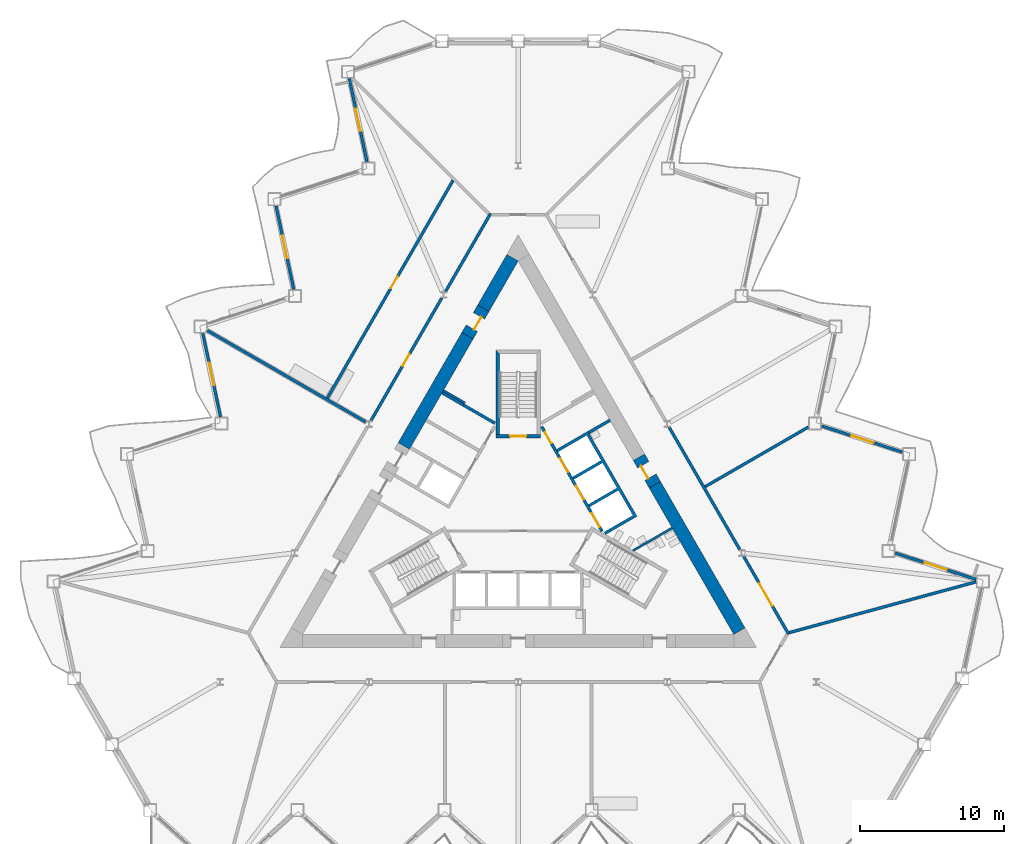
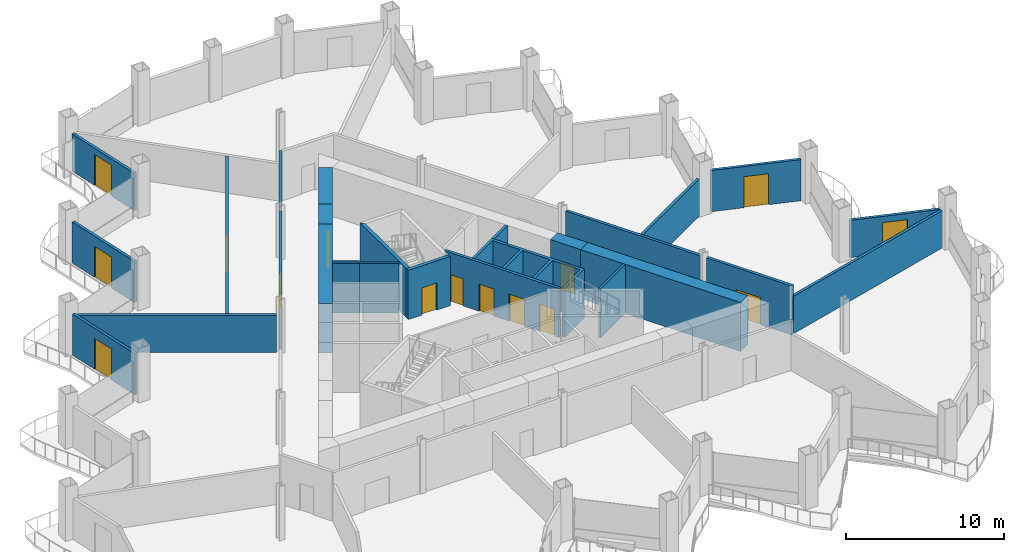
# One storey, part 12 of 21: 27 walls, 15 doors, 15 openings.
"""IFC4 building model written with IfcOpenShell, lengths in metres."""

import ifcopenshell
import ifcopenshell.guid

model = None  # the IFC model being written
_history = None  # IfcOwnerHistory: only IFC2X3 demands one
_inside = {}  # id of a spatial element -> (the spatial element, [elements in it])
_under = {}  # id of a project, library or spatial element -> (it, [spatial elements below it])
_declared = {}  # id of a project -> (the project, [libraries it declares])
_typed = {}  # id of a type object -> (the type object, [elements of that type])
_made_of = {}  # id of a material, layer set ... -> (it, [elements and type objects made of it])


def new_model(schema):
    """Start an empty IFC model of exactly this schema.

    Asked for "IFC4X3", IfcOpenShell would pick the latest addendum, in which some entities
    have other attributes; the version numbers below select the first issue.
    IFC2X3 requires an IfcOwnerHistory on every rooted entity: one is made here for all.
    """
    global model, _history
    if schema == "IFC4X3":
        model = ifcopenshell.file(schema_version=(4, 3, 0, 0))
    else:
        model = ifcopenshell.file(schema=schema)
    _inside.clear()
    _under.clear()
    _declared.clear()
    _typed.clear()
    _made_of.clear()
    _history = None
    if model.schema == "IFC2X3":
        org = make("IfcOrganization", Name="unknown")
        user = make(
            "IfcPersonAndOrganization",
            ThePerson=make("IfcPerson", FamilyName="unknown"),
            TheOrganization=org,
        )
        app = make(
            "IfcApplication",
            ApplicationDeveloper=org,
            Version="unknown",
            ApplicationFullName="unknown",
            ApplicationIdentifier="unknown",
        )
        _history = make(
            "IfcOwnerHistory",
            OwningUser=user,
            OwningApplication=app,
            ChangeAction="ADDED",
            CreationDate=0,
        )
    return model


def make(cls, **values):
    """One entity of the class cls with the attributes given. An attribute that is None is left unset."""
    return model.create_entity(
        cls, **{name: value for name, value in values.items() if value is not None}
    )


def rooted(cls, **values):
    """An entity with a GlobalId (a new one), such as an element, a storey or a relation."""
    return make(cls, GlobalId=ifcopenshell.guid.new(), OwnerHistory=_history, **values)


def si_unit(unit_type, name, prefix=None):
    """IfcSIUnit, for example si_unit("LENGTHUNIT", "METRE", prefix="MILLI")."""
    return make("IfcSIUnit", UnitType=unit_type, Prefix=prefix, Name=name)


def assignment(units):
    """IfcUnitAssignment: the units of a project."""
    return None if units is None else make("IfcUnitAssignment", Units=units)


def point(xyz):
    """IfcCartesianPoint."""
    return None if xyz is None else make("IfcCartesianPoint", Coordinates=xyz)


def direction(xyz):
    """IfcDirection."""
    return None if xyz is None else make("IfcDirection", DirectionRatios=xyz)


def frame(location, z_axis=None, x_axis=None):
    """IfcAxis2Placement3D, a coordinate frame: its origin and axes. An axis left out is left unset."""
    return make(
        "IfcAxis2Placement3D",
        Location=point(location),
        Axis=direction(z_axis),
        RefDirection=direction(x_axis),
    )


def frame_2d(location, x_axis=None):
    """IfcAxis2Placement2D, a coordinate frame in the plane: its origin and x axis."""
    return make(
        "IfcAxis2Placement2D", Location=point(location), RefDirection=direction(x_axis)
    )


def origin():
    """The frame at (0, 0, 0) with its axes left unset."""
    return frame((0.0, 0.0, 0.0))


def place(relative_to, where):
    """IfcLocalPlacement: puts the frame where relative to a parent placement (None: the world)."""
    return make(
        "IfcLocalPlacement", PlacementRelTo=relative_to, RelativePlacement=where
    )


def context(
    kind, dimensions, precision=None, world=None, true_north=None, identifier=None
):
    """IfcGeometricRepresentationContext, for example the 3D "Model" context."""
    return make(
        "IfcGeometricRepresentationContext",
        ContextIdentifier=identifier,
        ContextType=kind,
        CoordinateSpaceDimension=dimensions,
        Precision=precision,
        WorldCoordinateSystem=world,
        TrueNorth=true_north,
    )


def subcontext(parent, identifier, kind, view, scale=None):
    """IfcGeometricRepresentationSubContext, for example "Body" below "Model"."""
    return make(
        "IfcGeometricRepresentationSubContext",
        ContextIdentifier=identifier,
        ContextType=kind,
        ParentContext=parent,
        TargetScale=scale,
        TargetView=view,
    )


def project(units=None, contexts=None):
    """IfcProject with its units and contexts."""
    return rooted(
        "IfcProject",
        Name="project",
        RepresentationContexts=contexts,
        UnitsInContext=assignment(units),
    )


def spatial(cls, under=None, at=None, **own):
    """A site, building, storey or space (cls), placed at a placement, below another one or the project."""
    s = rooted(cls, ObjectPlacement=at, **own)
    if under is not None:
        _under.setdefault(under.id(), (under, []))[1].append(s)
    return s


def polyline(points):
    """IfcPolyline through the points."""
    return make("IfcPolyline", Points=[point(p) for p in points])


def profile(cls, at=None, kind="AREA", **sizes):
    """A parametric profile (cls). Its sizes go by their IFC names, for example OverallWidth=200.0."""
    return make(cls, ProfileType=kind, Position=at, **sizes)


def rectangle(**sizes):
    """IfcRectangleProfileDef."""
    return profile("IfcRectangleProfileDef", **sizes)


def outline(outer, holes=None, kind="AREA"):
    """IfcArbitraryClosedProfileDef: a profile drawn as a closed curve; with holes, ...WithVoids."""
    if holes is None:
        return make("IfcArbitraryClosedProfileDef", ProfileType=kind, OuterCurve=outer)
    return make(
        "IfcArbitraryProfileDefWithVoids",
        ProfileType=kind,
        OuterCurve=outer,
        InnerCurves=holes,
    )


def extrude(swept, where, along, depth):
    """IfcExtrudedAreaSolid: the profile swept, set in the frame where, extruded along a direction by depth."""
    return make(
        "IfcExtrudedAreaSolid",
        SweptArea=swept,
        Position=where,
        ExtrudedDirection=direction(along),
        Depth=depth,
    )


def shape(context_of_items, identifier, shape_type, items):
    """IfcShapeRepresentation: the items that make up one representation, for example the "Body"."""
    return make(
        "IfcShapeRepresentation",
        ContextOfItems=context_of_items,
        RepresentationIdentifier=identifier,
        RepresentationType=shape_type,
        Items=items,
    )


def material(Name=None, Category=None):
    """IfcMaterial."""
    return make("IfcMaterial", Name=Name, Category=Category)


def layer(
    of_material, thickness, ventilated=None, Name=None, Category=None, Priority=None
):
    """IfcMaterialLayer: one layer of a wall or slab, of a material (None: an air gap)."""
    return make(
        "IfcMaterialLayer",
        Material=of_material,
        LayerThickness=thickness,
        IsVentilated=ventilated,
        Name=Name,
        Category=Category,
        Priority=Priority,
    )


def layer_set(layers, Name=None):
    """IfcMaterialLayerSet."""
    return make("IfcMaterialLayerSet", MaterialLayers=layers, LayerSetName=Name)


def made_of(thing, what):
    """Note that an element or type object is made of a material, layer set ...; save() writes the relation."""
    if what is not None:
        _made_of.setdefault(what.id(), (what, []))[1].append(thing)
    return thing


def type_object(cls, material=None, **own):
    """A type object (cls), such as IfcWallType, which elements share."""
    return made_of(rooted(cls, **own), material)


def element(
    cls,
    number,
    at=None,
    inside=None,
    cuts=None,
    type_object=None,
    material=None,
    context=None,
    identifier="Body",
    shape_type=None,
    held_by="IfcProductDefinitionShape",
    body=None,
    shapes=None,
    **own,
):
    """One element of the class cls, such as IfcWall. Its Tag is "e" and its number.

    at: its placement. inside: the storey or other place that contains it. cuts: it is an
    opening in that element (IfcRelVoidsElement). A single representation is given by context,
    identifier, shape_type and body (its items); several are given by shapes. held_by: the class
    of the entity that holds the representations. save() writes the other relations.
    """
    e = rooted(cls, Tag="e%d" % number, ObjectPlacement=at, **own)
    if body is not None:
        shapes = [shape(context, identifier, shape_type, body)]
    if shapes is not None:
        e.Representation = make(held_by, Representations=shapes)
    if inside is not None:
        _inside.setdefault(inside.id(), (inside, []))[1].append(e)
    if cuts is not None:
        rooted(
            "IfcRelVoidsElement", RelatingBuildingElement=cuts, RelatedOpeningElement=e
        )
    if type_object is not None:
        _typed.setdefault(type_object.id(), (type_object, []))[1].append(e)
    return made_of(e, material)


def fill(opening, filler):
    """IfcRelFillsElement: the door or window that sits in an opening."""
    return rooted(
        "IfcRelFillsElement",
        RelatingOpeningElement=opening,
        RelatedBuildingElement=filler,
    )


def aggregate(whole, parts):
    """IfcRelAggregates: a whole, such as a stair, and the parts it consists of."""
    return rooted("IfcRelAggregates", RelatingObject=whole, RelatedObjects=parts)


def save(model, path):
    """Write the relations noted so far, then the file.

    IfcRelAggregates (storeys below a building ...), IfcRelContainedInSpatialStructure (elements
    in a storey), IfcRelDefinesByType, IfcRelAssociatesMaterial and IfcRelDeclares: one each for
    every whole, place, type object, material and project.
    """
    for whole, parts in _under.values():
        aggregate(whole, parts)
    for where, things in _inside.values():
        rooted(
            "IfcRelContainedInSpatialStructure",
            RelatedElements=things,
            RelatingStructure=where,
        )
    for kind, things in _typed.values():
        rooted("IfcRelDefinesByType", RelatedObjects=things, RelatingType=kind)
    for what, things in _made_of.values():
        rooted("IfcRelAssociatesMaterial", RelatedObjects=things, RelatingMaterial=what)
    for by, libraries in _declared.values():
        rooted("IfcRelDeclares", RelatingContext=by, RelatedDefinitions=libraries)
    model.write(path)


model = new_model("IFC4")

# Units and contexts
model_context = context("Model", 3, precision=1e-05, world=origin(), true_north=direction((0.0, 1.0)))
body_context = subcontext(model_context, "Body", "Model", "MODEL_VIEW")
ifc_project = project(units=[si_unit("LENGTHUNIT", "METRE"), si_unit("AREAUNIT", "SQUARE_METRE"), si_unit("VOLUMEUNIT", "CUBIC_METRE"), si_unit("PLANEANGLEUNIT", "RADIAN"), si_unit("MASSUNIT", "GRAM", prefix="KILO")], contexts=[model_context])

# Site, building, storey
site_placement = place(None, origin())
site = spatial("IfcSite", under=ifc_project, at=site_placement, CompositionType="ELEMENT")
building_placement = place(site_placement, origin())
building = spatial("IfcBuilding", under=site, at=building_placement, Name="Cormorant Prow Tower", CompositionType="ELEMENT")
storey_placement = place(building_placement, frame((0.0, 0.0, 145.800048828125)))
storey = spatial("IfcBuildingStorey", under=building, at=storey_placement, Name="L31", CompositionType="ELEMENT", Elevation=145.800048828125)

# Walls
ifc_material_1 = material(Name="Gypsum board partition")
ifc_layer_1 = layer(ifc_material_1, 0.14990234375)
ifc_layer_set_1 = layer_set([ifc_layer_1], Name="Gypsum board partition")
wall_type_1 = type_object("IfcWallType", Name="Core partition 150", PredefinedType="PARTITIONING", material=ifc_layer_set_1)
wall_1_placement = place(storey_placement, frame((-3.693359375, 7.4150390625, 0.0), z_axis=(0.0, 0.0, 1.0), x_axis=(-0.866024871741, 0.500000921525, 0.0)))
element("IfcWall", 1, at=wall_1_placement, inside=storey, type_object=wall_type_1, Name="Service room partition", PredefinedType="PARTITIONING", context=body_context, shape_type="SweptSolid", body=[
    extrude(rectangle(XDim=1.72021484375, YDim=0.14990234375, at=frame_2d((0.860107421875, 0.0))), origin(), (0.0, 0.0, 1.0), 3.800048828125),
])
wall_2_placement = place(storey_placement, frame((10.680908203125, -1.247314453125, 0.0), z_axis=(0.0, 0.0, 1.0), x_axis=(-0.866018897435, -0.500011269158, 0.0)))
element("IfcWall", 2, at=wall_2_placement, inside=storey, type_object=wall_type_1, Name="Service room partition", PredefinedType="PARTITIONING", context=body_context, shape_type="SweptSolid", body=[
    extrude(rectangle(XDim=3.146484375, YDim=0.14990234375, at=frame_2d((1.5732421875, 0.0))), origin(), (0.0, 0.0, 1.0), 3.800048828125),
])
ifc_material_2 = material(Name="Concrete 8000 psi", Category="concrete")
ifc_layer_2 = layer(ifc_material_2, 0.89990234375)
ifc_layer_set_2 = layer_set([ifc_layer_2], Name="Concrete 8000 psi")
wall_type_2 = type_object("IfcWallType", Name="Core shear wall 900", PredefinedType="SHEAR", material=ifc_layer_set_2)
wall_3_placement = place(storey_placement, frame((15.330810546875, -8.4013671875, 0.0), z_axis=(0.0, 0.0, 1.0), x_axis=(-0.499995375004, 0.86602807401, 0.0)))
element("IfcWall", 3, at=wall_3_placement, inside=storey, type_object=wall_type_2, Name="Core wall", PredefinedType="SHEAR", context=body_context, shape_type="SweptSolid", body=[
    extrude(rectangle(XDim=11.71826171875, YDim=0.89990234375, at=frame_2d((5.859130859375, 0.0))), origin(), (0.0, 0.0, 1.0), 3.800048828125),
])
wall_4_placement = place(storey_placement, frame((-3.512451171875, 12.06884765625, 0.0), z_axis=(0.0, 0.0, 1.0), x_axis=(-0.500002126466, -0.866024176065, 0.0)))
element("IfcWall", 4, at=wall_4_placement, inside=storey, type_object=wall_type_2, Name="Core wall", PredefinedType="SHEAR", context=body_context, shape_type="SweptSolid", body=[
    extrude(rectangle(XDim=8.81591796875, YDim=0.89990234375, at=frame_2d((4.407958984375, 0.0))), origin(), (0.0, 0.0, 1.0), 3.800048828125),
])
wall_5_placement = place(storey_placement, frame((-0.3896484375, 17.4775390625, 0.0), z_axis=(0.0, 0.0, 1.0), x_axis=(-0.500046330384, -0.865998653272, 0.0)))
element("IfcWall", 5, at=wall_5_placement, inside=storey, type_object=wall_type_2, Name="Core wall", PredefinedType="SHEAR", context=body_context, shape_type="SweptSolid", body=[
    extrude(rectangle(XDim=4.04541015625, YDim=0.89990234375, at=frame_2d((2.022705078125, 0.0))), origin(), (0.0, 0.0, 1.0), 3.800048828125),
])

# Wall, opening, door
wall_6_placement = place(storey_placement, frame((9.4716796875, 1.7470703125, 0.0), z_axis=(0.0, 0.0, 1.0), x_axis=(-0.50002983664, 0.866008176907, 0.0)))
wall_6 = element("IfcWall", 6, at=wall_6_placement, inside=storey, type_object=wall_type_2, Name="Core wall door panel", PredefinedType="SHEAR", context=body_context, shape_type="SweptSolid", body=[
    extrude(rectangle(XDim=2.199951171875, YDim=0.89990234375, at=frame_2d((1.10009765625, 0.0))), origin(), (0.0, 0.0, 1.0), 3.800048828125),
])
opening_1_placement = place(wall_6_placement, frame((0.60009765625, 0.0, 0.0)))
opening_1 = element("IfcOpeningElement", 7, at=opening_1_placement, cuts=wall_6, Name="Opening L31-C18", PredefinedType="OPENING", context=body_context, shape_type="SweptSolid", body=[
    extrude(rectangle(XDim=1.0, YDim=2.10009765625, at=frame_2d((0.5, 1.050048828125))), frame((0.0, 0.4599609375, 0.0), z_axis=(0.0, -1.0, 0.0), x_axis=(1.0, 0.0, 0.0)), (0.0, 0.0, 1.0), 0.919921875),
])
ifc_material_3 = material(Name="Painted steel", Category="steel")
door_type_1 = type_object("IfcDoorType", Name="Service door 1000x2100", OperationType="NOTDEFINED", PredefinedType="DOOR", material=ifc_material_3)
door_1_placement = place(opening_1_placement, origin())
door_1 = element("IfcDoor", 8, at=door_1_placement, inside=storey, type_object=door_type_1, Name="Core door, Toilets (men) L31", OperationType="SINGLE_SWING_RIGHT", OverallHeight=2.10009765625, OverallWidth=1.0, PredefinedType="DOOR", context=body_context, shape_type="SweptSolid", body=[
    extrude(rectangle(XDim=1.0, YDim=2.10009765625, at=frame_2d((0.5, 1.050048828125))), frame((0.0, 0.205078125, 0.0), z_axis=(0.0, -1.0, 0.0), x_axis=(1.0, 0.0, 0.0)), (0.0, 0.0, 1.0), 0.050048828125),
])
fill(opening_1, door_1)

wall_7_placement = place(storey_placement, frame((-2.41259765625, 13.97412109375, 0.0), z_axis=(0.0, 0.0, 1.0), x_axis=(-0.499946605688, -0.86605622881, 0.0)))
wall_7 = element("IfcWall", 9, at=wall_7_placement, inside=storey, type_object=wall_type_2, Name="Core wall door panel", PredefinedType="SHEAR", context=body_context, shape_type="SweptSolid", body=[
    extrude(rectangle(XDim=2.199951171875, YDim=0.89990234375, at=frame_2d((1.10009765625, 0.0))), origin(), (0.0, 0.0, 1.0), 3.800048828125),
])
opening_2_placement = place(wall_7_placement, frame((0.60009765625, 0.0, 0.0)))
opening_2 = element("IfcOpeningElement", 10, at=opening_2_placement, cuts=wall_7, Name="Opening L31-C20", PredefinedType="OPENING", context=body_context, shape_type="SweptSolid", body=[
    extrude(rectangle(XDim=1.0, YDim=2.10009765625, at=frame_2d((0.5, 1.050048828125))), frame((0.0, 0.4599609375, 0.0), z_axis=(0.0, -1.0, 0.0), x_axis=(1.0, 0.0, 0.0)), (0.0, 0.0, 1.0), 0.919921875),
])
door_2_placement = place(opening_2_placement, origin())
door_2 = element("IfcDoor", 11, at=door_2_placement, inside=storey, type_object=door_type_1, Name="Core door, Telecom room", OperationType="SINGLE_SWING_LEFT", OverallHeight=2.10009765625, OverallWidth=1.0, PredefinedType="DOOR", context=body_context, shape_type="SweptSolid", body=[
    extrude(rectangle(XDim=1.0, YDim=2.10009765625, at=frame_2d((0.5, 1.050048828125))), frame((0.0, 0.205078125, 0.0), z_axis=(0.0, -1.0, 0.0), x_axis=(1.0, 0.0, 0.0)), (0.0, 0.0, 1.0), 0.050048828125),
])
fill(opening_2, door_2)

# Wall
ifc_material_4 = material(Name="Gypsum board corridor wall")
ifc_layer_3 = layer(ifc_material_4, 0.199951171875)
ifc_layer_set_3 = layer_set([ifc_layer_3], Name="Gypsum board corridor wall")
wall_type_3 = type_object("IfcWallType", Name="Corridor wall 200", PredefinedType="PARTITIONING", material=ifc_layer_set_3)
wall_8_placement = place(storey_placement, frame((10.459716796875, 5.735595703125, 0.0), z_axis=(0.0, 0.0, 1.0), x_axis=(0.500004141693, -0.866023012564, 0.0)))
element("IfcWall", 12, at=wall_8_placement, inside=storey, type_object=wall_type_3, Name="Corridor wall", PredefinedType="PARTITIONING", context=body_context, shape_type="SweptSolid", body=[
    extrude(rectangle(XDim=9.80322265625, YDim=0.199951171875, at=frame_2d((4.901611328125, 0.0))), origin(), (0.0, 0.0, 1.0), 3.800048828125),
])

# Wall, opening, door
wall_9_placement = place(storey_placement, frame((-10.197265625, 6.1904296875, 0.0), z_axis=(0.0, 0.0, 1.0), x_axis=(0.500012035596, 0.866018454918, 0.0)))
wall_9 = element("IfcWall", 13, at=wall_9_placement, inside=storey, type_object=wall_type_3, Name="Corridor wall", PredefinedType="PARTITIONING", context=body_context, shape_type="SweptSolid", body=[
    extrude(rectangle(XDim=9.803466796875, YDim=0.199951171875, at=frame_2d((4.90185546875, 0.0))), origin(), (0.0, 0.0, 1.0), 3.800048828125),
])
opening_3_placement = place(wall_9_placement, frame((4.376220703125, 0.0, 0.0)))
opening_3 = element("IfcOpeningElement", 14, at=opening_3_placement, cuts=wall_9, Name="Opening L31-F09", PredefinedType="OPENING", context=body_context, shape_type="SweptSolid", body=[
    extrude(rectangle(XDim=0.949951171875, YDim=2.10009765625, at=frame_2d((0.47509765625, 1.050048828125))), frame((0.0, 0.10986328125, 0.0), z_axis=(0.0, -1.0, 0.0), x_axis=(1.0, 0.0, 0.0)), (0.0, 0.0, 1.0), 0.219970703125),
])
ifc_material_5 = material(Name="Timber door leaf", Category="wood")
door_type_2 = type_object("IfcDoorType", Name="Store door 950x2100", OperationType="NOTDEFINED", PredefinedType="DOOR", material=ifc_material_5)
door_3_placement = place(opening_3_placement, origin())
door_3 = element("IfcDoor", 15, at=door_3_placement, inside=storey, type_object=door_type_2, Name="Tea point and pantry door", OperationType="SINGLE_SWING_LEFT", OverallHeight=2.10009765625, OverallWidth=0.949951171875, PredefinedType="DOOR", context=body_context, shape_type="SweptSolid", body=[
    extrude(rectangle(XDim=0.949951171875, YDim=2.10009765625, at=frame_2d((0.47509765625, 1.050048828125))), frame((0.0, 0.02490234375, 0.0), z_axis=(0.0, -1.0, 0.0), x_axis=(1.0, 0.0, 0.0)), (0.0, 0.0, 1.0), 0.050048828125),
])
fill(opening_3, door_3)

# Wall
wall_10_placement = place(storey_placement, frame((-5.032958984375, 15.13525390625, 0.0), z_axis=(0.0, 0.0, 1.0), x_axis=(0.499980978912, 0.866036385336, 0.0)))
element("IfcWall", 16, at=wall_10_placement, inside=storey, type_object=wall_type_3, Name="Corridor wall", PredefinedType="PARTITIONING", context=body_context, shape_type="SweptSolid", body=[
    extrude(rectangle(XDim=6.239990234375, YDim=0.199951171875, at=frame_2d((3.1201171875, 0.0))), origin(), (0.0, 0.0, 1.0), 3.800048828125),
])

# Wall, opening, door
wall_11_placement = place(storey_placement, frame((15.6240234375, -3.208984375, 0.0), z_axis=(0.0, 0.0, 1.0), x_axis=(0.499997920671, -0.866026604282, 0.0)))
wall_11 = element("IfcWall", 17, at=wall_11_placement, inside=storey, type_object=wall_type_3, Name="Corridor wall", PredefinedType="PARTITIONING", context=body_context, shape_type="SweptSolid", body=[
    extrude(rectangle(XDim=6.23974609375, YDim=0.199951171875, at=frame_2d((3.119873046875, 0.0))), origin(), (0.0, 0.0, 1.0), 3.800048828125),
])
opening_4_placement = place(wall_11_placement, frame((2.16943359375, 0.0, 0.0)))
opening_4 = element("IfcOpeningElement", 18, at=opening_4_placement, cuts=wall_11, Name="Opening L31-F05", PredefinedType="OPENING", context=body_context, shape_type="SweptSolid", body=[
    extrude(rectangle(XDim=1.800048828125, YDim=2.10009765625, at=frame_2d((0.89990234375, 1.050048828125))), frame((0.0, 0.10986328125, 0.0), z_axis=(0.0, -1.0, 0.0), x_axis=(1.0, 0.0, 0.0)), (0.0, 0.0, 1.0), 0.219970703125),
])
ifc_material_6 = material(Name="Timber door leaf", Category="wood")
door_type_3 = type_object("IfcDoorType", Name="Double door 1800x2100", OperationType="DOUBLE_DOOR_SINGLE_SWING", PredefinedType="DOOR", material=ifc_material_6)
door_4_placement = place(opening_4_placement, origin())
door_4 = element("IfcDoor", 19, at=door_4_placement, inside=storey, type_object=door_type_3, Name="Co-working room door", OperationType="DOUBLE_DOOR_SINGLE_SWING", OverallHeight=2.10009765625, OverallWidth=1.800048828125, PredefinedType="DOOR", context=body_context, shape_type="SweptSolid", body=[
    extrude(rectangle(XDim=1.800048828125, YDim=2.10009765625, at=frame_2d((0.89990234375, 1.050048828125))), frame((0.0, 0.02490234375, 0.0), z_axis=(0.0, -1.0, 0.0), x_axis=(1.0, 0.0, 0.0)), (0.0, 0.0, 1.0), 0.050048828125),
])
fill(opening_4, door_4)

ifc_material_7 = material(Name="Gypsum board demising wall")
ifc_layer_4 = layer(ifc_material_7, 0.199951171875)
ifc_layer_set_4 = layer_set([ifc_layer_4], Name="Gypsum board demising wall")
wall_type_4 = type_object("IfcWallType", Name="Demising wall 200", PredefinedType="PARTITIONING", material=ifc_layer_set_4)
wall_12_placement = place(storey_placement, frame((-13.222900390625, 7.749755859375, 0.0), z_axis=(0.0, 0.0, 1.0), x_axis=(0.499991226912, 0.86603046887, 0.0)))
wall_12 = element("IfcWall", 20, at=wall_12_placement, inside=storey, type_object=wall_type_4, Name="Demising wall", PredefinedType="PARTITIONING", context=body_context, shape_type="SweptSolid", body=[
    extrude(rectangle(XDim=17.429443359375, YDim=0.199951171875, at=frame_2d((8.71484375, 0.0))), origin(), (0.0, 0.0, 1.0), 2.88525390625),
])
opening_5_placement = place(wall_12_placement, frame((8.79248046875, 0.0, 0.0)))
opening_5 = element("IfcOpeningElement", 21, at=opening_5_placement, cuts=wall_12, Name="Opening L31-F10", PredefinedType="OPENING", context=body_context, shape_type="SweptSolid", body=[
    extrude(rectangle(XDim=0.949951171875, YDim=2.10009765625, at=frame_2d((0.47509765625, 1.050048828125))), frame((0.0, 0.10986328125, 0.0), z_axis=(0.0, -1.0, 0.0), x_axis=(1.0, 0.0, 0.0)), (0.0, 0.0, 1.0), 0.219970703125),
])
door_5_placement = place(opening_5_placement, origin())
door_5 = element("IfcDoor", 22, at=door_5_placement, inside=storey, type_object=door_type_2, Name="Tenant reception door", OperationType="SINGLE_SWING_LEFT", OverallHeight=2.10009765625, OverallWidth=0.949951171875, PredefinedType="DOOR", context=body_context, shape_type="SweptSolid", body=[
    extrude(rectangle(XDim=0.949951171875, YDim=2.10009765625, at=frame_2d((0.47509765625, 1.050048828125))), frame((0.0, 0.02490234375, 0.0), z_axis=(0.0, -1.0, 0.0), x_axis=(1.0, 0.0, 0.0)), (0.0, 0.0, 1.0), 0.050048828125),
])
fill(opening_5, door_5)

# Walls
wall_13_placement = place(storey_placement, frame((18.790283203125, -8.5, 0.0), z_axis=(0.0, 0.0, 1.0), x_axis=(0.965038802525, 0.262107057556, 0.0)))
element("IfcWall", 23, at=wall_13_placement, inside=storey, type_object=wall_type_4, Name="Demising wall", PredefinedType="PARTITIONING", context=body_context, shape_type="SweptSolid", body=[
    extrude(rectangle(XDim=13.414794921875, YDim=0.199951171875, at=frame_2d((6.70751953125, 0.0))), origin(), (0.0, 0.0, 1.0), 2.88525390625),
])
wall_14_placement = place(storey_placement, frame((-21.536376953125, 12.43408203125, 0.0), z_axis=(0.0, 0.0, 1.0), x_axis=(0.86602461759, -0.500001361726, 0.0)))
element("IfcWall", 24, at=wall_14_placement, inside=storey, type_object=wall_type_4, Name="Demising wall", PredefinedType="PARTITIONING", context=body_context, shape_type="SweptSolid", body=[
    extrude(rectangle(XDim=12.67919921875, YDim=0.199951171875, at=frame_2d((6.339599609375, 0.0))), origin(), (0.0, 0.0, 1.0), 2.88525390625),
])
wall_15_placement = place(storey_placement, frame((12.955810546875, 1.612548828125, 0.0), z_axis=(0.0, 0.0, 1.0), x_axis=(0.866032027724, 0.499988526824, 0.0)))
element("IfcWall", 25, at=wall_15_placement, inside=storey, type_object=wall_type_4, Name="Demising wall", PredefinedType="PARTITIONING", context=body_context, shape_type="SweptSolid", body=[
    extrude(rectangle(XDim=8.260498046875, YDim=0.199951171875, at=frame_2d((4.13037109375, 0.0))), origin(), (0.0, 0.0, 1.0), 2.88525390625),
])

# Wall, openings, doors
ifc_material_8 = material(Name="Concrete 5000 psi", Category="concrete")
ifc_layer_5 = layer(ifc_material_8, 0.199951171875)
ifc_layer_set_5 = layer_set([ifc_layer_5], Name="Concrete 5000 psi")
wall_type_5 = type_object("IfcWallType", Name="Lift lobby wall 200", PredefinedType="SOLIDWALL", material=ifc_layer_set_5)
wall_16_placement = place(storey_placement, frame((5.817138671875, -1.4755859375, 0.0), z_axis=(0.0, 0.0, 1.0), x_axis=(-0.500002616675, 0.866023893041, 0.0)))
wall_16 = element("IfcWall", 26, at=wall_16_placement, inside=storey, type_object=wall_type_5, Name="Lift lobby wall, ENE block", PredefinedType="SOLIDWALL", context=body_context, shape_type="SweptSolid", body=[
    extrude(rectangle(XDim=8.373046875, YDim=0.199951171875, at=frame_2d((4.1865234375, 0.0))), origin(), (0.0, 0.0, 1.0), 3.800048828125),
])
opening_6_placement = place(wall_16_placement, frame((0.336669921875, 0.0, 0.0)))
opening_6 = element("IfcOpeningElement", 27, at=opening_6_placement, cuts=wall_16, Name="Opening L31-C05", PredefinedType="OPENING", context=body_context, shape_type="SweptSolid", body=[
    extrude(rectangle(XDim=1.10009765625, YDim=2.10009765625, at=frame_2d((0.550048828125, 1.050048828125))), frame((0.0, 0.10986328125, 0.0), z_axis=(0.0, -1.0, 0.0), x_axis=(1.0, 0.0, 0.0)), (0.0, 0.0, 1.0), 0.219970703125),
])
opening_7_placement = place(wall_16_placement, frame((2.53662109375, 0.0, 0.0)))
opening_7 = element("IfcOpeningElement", 28, at=opening_7_placement, cuts=wall_16, Name="Opening L31-C06", PredefinedType="OPENING", context=body_context, shape_type="SweptSolid", body=[
    extrude(rectangle(XDim=1.10009765625, YDim=2.10009765625, at=frame_2d((0.550048828125, 1.050048828125))), frame((0.0, 0.10986328125, 0.0), z_axis=(0.0, -1.0, 0.0), x_axis=(1.0, 0.0, 0.0)), (0.0, 0.0, 1.0), 0.219970703125),
])
opening_8_placement = place(wall_16_placement, frame((4.736572265625, 0.0, 0.0)))
opening_8 = element("IfcOpeningElement", 29, at=opening_8_placement, cuts=wall_16, Name="Opening L31-C07", PredefinedType="OPENING", context=body_context, shape_type="SweptSolid", body=[
    extrude(rectangle(XDim=1.10009765625, YDim=2.10009765625, at=frame_2d((0.550048828125, 1.050048828125))), frame((0.0, 0.10986328125, 0.0), z_axis=(0.0, -1.0, 0.0), x_axis=(1.0, 0.0, 0.0)), (0.0, 0.0, 1.0), 0.219970703125),
])
opening_9_placement = place(wall_16_placement, frame((7.03662109375, 0.0, 0.0)))
opening_9 = element("IfcOpeningElement", 30, at=opening_9_placement, cuts=wall_16, Name="Opening L31-C08", PredefinedType="OPENING", context=body_context, shape_type="SweptSolid", body=[
    extrude(rectangle(XDim=0.89990234375, YDim=2.10009765625, at=frame_2d((0.449951171875, 1.050048828125))), frame((0.0, 0.10986328125, 0.0), z_axis=(0.0, -1.0, 0.0), x_axis=(1.0, 0.0, 0.0)), (0.0, 0.0, 1.0), 0.219970703125),
])
ifc_material_9 = material(Name="Painted steel", Category="steel")
door_type_4 = type_object("IfcDoorType", Name="Lift landing door 1100x2100", OperationType="SLIDING_TO_LEFT", PredefinedType="DOOR", material=ifc_material_9)
door_6_placement = place(opening_6_placement, origin())
door_6 = element("IfcDoor", 31, at=door_6_placement, inside=storey, type_object=door_type_4, Name="Landing door LR2", OperationType="SLIDING_TO_LEFT", OverallHeight=2.10009765625, OverallWidth=1.10009765625, PredefinedType="DOOR", context=body_context, shape_type="SweptSolid", body=[
    extrude(rectangle(XDim=1.10009765625, YDim=2.10009765625, at=frame_2d((0.550048828125, 1.050048828125))), frame((0.0, 0.02490234375, 0.0), z_axis=(0.0, -1.0, 0.0), x_axis=(1.0, 0.0, 0.0)), (0.0, 0.0, 1.0), 0.050048828125),
])
fill(opening_6, door_6)
door_7_placement = place(opening_7_placement, origin())
door_7 = element("IfcDoor", 32, at=door_7_placement, inside=storey, type_object=door_type_4, Name="Landing door LR3", OperationType="SLIDING_TO_LEFT", OverallHeight=2.10009765625, OverallWidth=1.10009765625, PredefinedType="DOOR", context=body_context, shape_type="SweptSolid", body=[
    extrude(rectangle(XDim=1.10009765625, YDim=2.10009765625, at=frame_2d((0.550048828125, 1.050048828125))), frame((0.0, 0.02490234375, 0.0), z_axis=(0.0, -1.0, 0.0), x_axis=(1.0, 0.0, 0.0)), (0.0, 0.0, 1.0), 0.050048828125),
])
fill(opening_7, door_7)
door_8_placement = place(opening_8_placement, origin())
door_8 = element("IfcDoor", 33, at=door_8_placement, inside=storey, type_object=door_type_4, Name="Landing door LR4", OperationType="SLIDING_TO_LEFT", OverallHeight=2.10009765625, OverallWidth=1.10009765625, PredefinedType="DOOR", context=body_context, shape_type="SweptSolid", body=[
    extrude(rectangle(XDim=1.10009765625, YDim=2.10009765625, at=frame_2d((0.550048828125, 1.050048828125))), frame((0.0, 0.02490234375, 0.0), z_axis=(0.0, -1.0, 0.0), x_axis=(1.0, 0.0, 0.0)), (0.0, 0.0, 1.0), 0.050048828125),
])
fill(opening_8, door_8)
ifc_material_10 = material(Name="Painted steel", Category="steel")
door_type_5 = type_object("IfcDoorType", Name="Service door 900x2100", OperationType="NOTDEFINED", PredefinedType="DOOR", material=ifc_material_10)
door_9_placement = place(opening_9_placement, origin())
door_9 = element("IfcDoor", 34, at=door_9_placement, inside=storey, type_object=door_type_5, Name="Service door, Refuse store", OperationType="SINGLE_SWING_RIGHT", OverallHeight=2.10009765625, OverallWidth=0.89990234375, PredefinedType="DOOR", context=body_context, shape_type="SweptSolid", body=[
    extrude(rectangle(XDim=0.89990234375, YDim=2.10009765625, at=frame_2d((0.449951171875, 1.050048828125))), frame((0.0, 0.02490234375, 0.0), z_axis=(0.0, -1.0, 0.0), x_axis=(1.0, 0.0, 0.0)), (0.0, 0.0, 1.0), 0.050048828125),
])
fill(opening_9, door_9)

# Walls
ifc_material_11 = material(Name="Concrete 8000 psi", Category="concrete")
ifc_layer_6 = layer(ifc_material_11, 0.199951171875)
ifc_layer_set_6 = layer_set([ifc_layer_6], Name="Concrete 8000 psi")
wall_type_6 = type_object("IfcWallType", Name="Lift shaft wall 200", PredefinedType="SHEAR", material=ifc_layer_set_6)
wall_17_placement = place(storey_placement, origin())
element("IfcWall", 35, at=wall_17_placement, inside=storey, type_object=wall_type_6, Name="Lift shaft walls, ENE block", PredefinedType="SHEAR", context=body_context, shape_type="SweptSolid", body=[
    extrude(outline(polyline([(2.660400390625, 4.19189453125), (4.830810546875, 5.44482421875), (8.230712890625, -0.444091796875), (6.060546875, -1.697021484375), (5.96044921875, -1.52392578125), (7.952392578125, -0.373779296875), (6.952392578125, 1.358154296875), (4.96044921875, 0.2080078125), (4.860595703125, 0.38134765625), (6.852294921875, 1.53125), (5.852294921875, 3.263427734375), (3.860595703125, 2.11328125), (3.760498046875, 2.28662109375), (5.75244140625, 3.4365234375), (4.75244140625, 5.168701171875), (2.760498046875, 4.018798828125), (2.660400390625, 4.19189453125)])), origin(), (0.0, 0.0, 1.0), 3.800048828125),
])
wall_18_placement = place(storey_placement, frame((4.880859375, 5.3583984375, 0.0), z_axis=(0.0, 0.0, 1.0), x_axis=(0.866024871741, 0.500000921525, 0.0)))
element("IfcWall", 36, at=wall_18_placement, inside=storey, type_object=wall_type_6, Name="Store side wall", PredefinedType="SHEAR", context=body_context, shape_type="SweptSolid", body=[
    extrude(rectangle(XDim=1.72021484375, YDim=0.199951171875, at=frame_2d((0.860107421875, 0.0))), origin(), (0.0, 0.0, 1.0), 3.800048828125),
])
wall_19_placement = place(storey_placement, origin())
element("IfcWall", 37, at=wall_19_placement, inside=storey, type_object=wall_type_6, Name="Lift shaft walls, WNW block", PredefinedType="SHEAR", context=body_context, shape_type="SweptSolid", body=[
    extrude(outline(polyline([(-3.730712890625, 7.35009765625), (-1.560546875, 6.09716796875), (-1.660400390625, 5.923828125), (-3.830810546875, 7.177001953125), (-3.730712890625, 7.35009765625)])), origin(), (0.0, 0.0, 1.0), 3.800048828125),
])
wall_20_placement = place(storey_placement, frame((-3.78076171875, 7.263427734375, 0.0), z_axis=(0.0, 0.0, 1.0), x_axis=(-0.865963414263, 0.500107353632, 0.0)))
element("IfcWall", 38, at=wall_20_placement, inside=storey, type_object=wall_type_6, Name="Store side wall", PredefinedType="SHEAR", context=body_context, shape_type="SweptSolid", body=[
    extrude(rectangle(XDim=1.72021484375, YDim=0.199951171875, at=frame_2d((0.860107421875, 0.0))), origin(), (0.0, 0.0, 1.0), 3.800048828125),
])
ifc_material_12 = material(Name="Concrete 8000 psi", Category="concrete")
ifc_layer_7 = layer(ifc_material_12, 0.25)
ifc_layer_set_7 = layer_set([ifc_layer_7], Name="Concrete 8000 psi")
wall_type_7 = type_object("IfcWallType", Name="Stair wall 250", PredefinedType="SHEAR", material=ifc_layer_set_7)
wall_21_placement = place(storey_placement, origin())
element("IfcWall", 39, at=wall_21_placement, inside=storey, type_object=wall_type_7, Name="Stair ST3 enclosure wall (flank)", PredefinedType="SHEAR", context=body_context, shape_type="SweptSolid", body=[
    extrude(outline(polyline([(-1.2939453125, 10.8369140625), (-1.5439453125, 11.0869140625), (-1.5439453125, 5.23681640625), (-1.2939453125, 5.23681640625), (-1.2939453125, 10.8369140625)])), origin(), (0.0, 0.0, 1.0), 3.800048828125),
])

# Wall, opening, door
wall_22_placement = place(storey_placement, frame((1.5439453125, 5.11181640625, 0.0), z_axis=(0.0, 0.0, 1.0), x_axis=(-1.0, 0.0, 0.0)))
wall_22 = element("IfcWall", 40, at=wall_22_placement, inside=storey, type_object=wall_type_7, Name="Stair ST3 door wall", PredefinedType="SHEAR", context=body_context, shape_type="SweptSolid", body=[
    extrude(rectangle(XDim=3.087890625, YDim=0.25, at=frame_2d((1.5439453125, 0.0))), origin(), (0.0, 0.0, 1.0), 3.800048828125),
])
opening_10_placement = place(wall_22_placement, frame((0.993896484375, 0.0, 0.0)))
opening_10 = element("IfcOpeningElement", 41, at=opening_10_placement, cuts=wall_22, Name="Opening L31-C14", PredefinedType="OPENING", context=body_context, shape_type="SweptSolid", body=[
    extrude(rectangle(XDim=1.10009765625, YDim=2.10009765625, at=frame_2d((0.550048828125, 1.050048828125))), frame((0.0, 0.135009765625, 0.0), z_axis=(0.0, -1.0, 0.0), x_axis=(1.0, 0.0, 0.0)), (0.0, 0.0, 1.0), 0.27001953125),
])
ifc_material_13 = material(Name="Painted steel", Category="steel")
door_type_6 = type_object("IfcDoorType", Name="Stair door 1100x2100", OperationType="NOTDEFINED", PredefinedType="DOOR", material=ifc_material_13)
door_10_placement = place(opening_10_placement, origin())
door_10 = element("IfcDoor", 42, at=door_10_placement, inside=storey, type_object=door_type_6, Name="Stair ST3 door", OperationType="SINGLE_SWING_LEFT", OverallHeight=2.10009765625, OverallWidth=1.10009765625, PredefinedType="DOOR", context=body_context, shape_type="SweptSolid", body=[
    extrude(rectangle(XDim=1.10009765625, YDim=2.10009765625, at=frame_2d((0.550048828125, 1.050048828125))), frame((0.0, 0.02490234375, 0.0), z_axis=(0.0, -1.0, 0.0), x_axis=(1.0, 0.0, 0.0)), (0.0, 0.0, 1.0), 0.050048828125),
])
fill(opening_10, door_10)

ifc_material_14 = material(Name="Terracotta", Category="masonry")
ifc_layer_8 = layer(ifc_material_14, 0.199951171875)
ifc_layer_set_8 = layer_set([ifc_layer_8], Name="Terracotta")
wall_type_8 = type_object("IfcWallType", Name="Terracotta jamb wall 200", PredefinedType="SOLIDWALL", material=ifc_layer_set_8)
wall_23_placement = place(storey_placement, frame((31.721435546875, -4.80517578125, 0.0), z_axis=(0.0, 0.0, 1.0), x_axis=(-0.951053952554, 0.309024884649, 0.0)))
wall_23 = element("IfcWall", 43, at=wall_23_placement, inside=storey, type_object=wall_type_8, Name="Terracotta jamb wall ENE01", PredefinedType="SOLIDWALL", context=body_context, shape_type="SweptSolid", body=[
    extrude(rectangle(XDim=5.864501953125, YDim=0.199951171875, at=frame_2d((2.93212890625, 0.0))), origin(), (0.0, 0.0, 1.0), 2.88525390625),
])
opening_11_placement = place(wall_23_placement, frame((2.1201171875, 0.0, 0.0)))
opening_11 = element("IfcOpeningElement", 44, at=opening_11_placement, cuts=wall_23, Name="Opening ED31.06", PredefinedType="OPENING", context=body_context, shape_type="SweptSolid", body=[
    extrude(rectangle(XDim=1.60009765625, YDim=2.39990234375, at=frame_2d((0.800048828125, 1.199951171875))), frame((0.0, 0.10986328125, 0.0), z_axis=(0.0, -1.0, 0.0), x_axis=(1.0, 0.0, 0.0)), (0.0, 0.0, 1.0), 0.219970703125),
])
ifc_material_15 = material(Name="Aluminium 6063-T6", Category="aluminium")
door_type_7 = type_object("IfcDoorType", Name="Balcony door 1600x2400", OperationType="DOUBLE_DOOR_SINGLE_SWING", PredefinedType="DOOR", material=ifc_material_15)
door_11_placement = place(opening_11_placement, origin())
door_11 = element("IfcDoor", 45, at=door_11_placement, inside=storey, type_object=door_type_7, Name="Balcony door ENE01 ED31.06", OperationType="DOUBLE_DOOR_SINGLE_SWING", OverallHeight=2.39990234375, OverallWidth=1.60009765625, PredefinedType="DOOR", context=body_context, shape_type="SweptSolid", body=[
    extrude(rectangle(XDim=1.60009765625, YDim=2.39990234375, at=frame_2d((0.800048828125, 1.199951171875))), frame((0.0, 0.02490234375, 0.0), z_axis=(0.0, -1.0, 0.0), x_axis=(1.0, 0.0, 0.0)), (0.0, 0.0, 1.0), 0.050048828125),
])
fill(opening_11, door_11)

wall_24_placement = place(storey_placement, frame((26.62158203125, 4.002197265625, 0.0), z_axis=(0.0, 0.0, 1.0), x_axis=(-0.951053952554, 0.309024884649, 0.0)))
wall_24 = element("IfcWall", 46, at=wall_24_placement, inside=storey, type_object=wall_type_8, Name="Terracotta jamb wall ENE03", PredefinedType="SOLIDWALL", context=body_context, shape_type="SweptSolid", body=[
    extrude(rectangle(XDim=5.864501953125, YDim=0.199951171875, at=frame_2d((2.93212890625, 0.0))), origin(), (0.0, 0.0, 1.0), 3.18896484375),
])
opening_12_placement = place(wall_24_placement, frame((2.100830078125, 0.0, 0.0)))
opening_12 = element("IfcOpeningElement", 47, at=opening_12_placement, cuts=wall_24, Name="Opening ED31.07", PredefinedType="OPENING", context=body_context, shape_type="SweptSolid", body=[
    extrude(rectangle(XDim=1.60009765625, YDim=2.39990234375, at=frame_2d((0.800048828125, 1.199951171875))), frame((0.0, 0.10986328125, 0.0), z_axis=(0.0, -1.0, 0.0), x_axis=(1.0, 0.0, 0.0)), (0.0, 0.0, 1.0), 0.219970703125),
])
door_12_placement = place(opening_12_placement, origin())
door_12 = element("IfcDoor", 48, at=door_12_placement, inside=storey, type_object=door_type_7, Name="Balcony door ENE03 ED31.07", OperationType="DOUBLE_DOOR_SINGLE_SWING", OverallHeight=2.39990234375, OverallWidth=1.60009765625, PredefinedType="DOOR", context=body_context, shape_type="SweptSolid", body=[
    extrude(rectangle(XDim=1.60009765625, YDim=2.39990234375, at=frame_2d((0.800048828125, 1.199951171875))), frame((0.0, 0.02490234375, 0.0), z_axis=(0.0, -1.0, 0.0), x_axis=(1.0, 0.0, 0.0)), (0.0, 0.0, 1.0), 0.050048828125),
])
fill(opening_12, door_12)

wall_25_placement = place(storey_placement, frame((-11.704833984375, 29.899658203125, 0.0), z_axis=(0.0, 0.0, 1.0), x_axis=(0.207917562075, -0.978146352741, 0.0)))
wall_25 = element("IfcWall", 49, at=wall_25_placement, inside=storey, type_object=wall_type_8, Name="Terracotta jamb wall WNW01", PredefinedType="SOLIDWALL", context=body_context, shape_type="SweptSolid", body=[
    extrude(rectangle(XDim=5.90869140625, YDim=0.199951171875, at=frame_2d((2.954345703125, 0.0))), origin(), (0.0, 0.0, 1.0), 2.88525390625),
])
opening_13_placement = place(wall_25_placement, frame((2.146240234375, 0.0, 0.0)))
opening_13 = element("IfcOpeningElement", 50, at=opening_13_placement, cuts=wall_25, Name="Opening ED31.11", PredefinedType="OPENING", context=body_context, shape_type="SweptSolid", body=[
    extrude(rectangle(XDim=1.60009765625, YDim=2.39990234375, at=frame_2d((0.800048828125, 1.199951171875))), frame((0.0, 0.10986328125, 0.0), z_axis=(0.0, -1.0, 0.0), x_axis=(1.0, 0.0, 0.0)), (0.0, 0.0, 1.0), 0.219970703125),
])
door_13_placement = place(opening_13_placement, origin())
door_13 = element("IfcDoor", 51, at=door_13_placement, inside=storey, type_object=door_type_7, Name="Balcony door WNW01 ED31.11", OperationType="DOUBLE_DOOR_SINGLE_SWING", OverallHeight=2.39990234375, OverallWidth=1.60009765625, PredefinedType="DOOR", context=body_context, shape_type="SweptSolid", body=[
    extrude(rectangle(XDim=1.60009765625, YDim=2.39990234375, at=frame_2d((0.800048828125, 1.199951171875))), frame((0.0, 0.02490234375, 0.0), z_axis=(0.0, -1.0, 0.0), x_axis=(1.0, 0.0, 0.0)), (0.0, 0.0, 1.0), 0.050048828125),
])
fill(opening_13, door_13)

wall_26_placement = place(storey_placement, frame((-16.779541015625, 21.06640625, 0.0), z_axis=(0.0, 0.0, 1.0), x_axis=(0.207917562075, -0.978146352741, 0.0)))
wall_26 = element("IfcWall", 52, at=wall_26_placement, inside=storey, type_object=wall_type_8, Name="Terracotta jamb wall WNW03", PredefinedType="SOLIDWALL", context=body_context, shape_type="SweptSolid", body=[
    extrude(rectangle(XDim=5.90869140625, YDim=0.199951171875, at=frame_2d((2.954345703125, 0.0))), origin(), (0.0, 0.0, 1.0), 3.18896484375),
])
opening_14_placement = place(wall_26_placement, frame((2.113525390625, 0.0, 0.0)))
opening_14 = element("IfcOpeningElement", 53, at=opening_14_placement, cuts=wall_26, Name="Opening ED31.12", PredefinedType="OPENING", context=body_context, shape_type="SweptSolid", body=[
    extrude(rectangle(XDim=1.60009765625, YDim=2.39990234375, at=frame_2d((0.800048828125, 1.199951171875))), frame((0.0, 0.10986328125, 0.0), z_axis=(0.0, -1.0, 0.0), x_axis=(1.0, 0.0, 0.0)), (0.0, 0.0, 1.0), 0.219970703125),
])
door_14_placement = place(opening_14_placement, origin())
door_14 = element("IfcDoor", 54, at=door_14_placement, inside=storey, type_object=door_type_7, Name="Balcony door WNW03 ED31.12", OperationType="DOUBLE_DOOR_SINGLE_SWING", OverallHeight=2.39990234375, OverallWidth=1.60009765625, PredefinedType="DOOR", context=body_context, shape_type="SweptSolid", body=[
    extrude(rectangle(XDim=1.60009765625, YDim=2.39990234375, at=frame_2d((0.800048828125, 1.199951171875))), frame((0.0, 0.02490234375, 0.0), z_axis=(0.0, -1.0, 0.0), x_axis=(1.0, 0.0, 0.0)), (0.0, 0.0, 1.0), 0.050048828125),
])
fill(opening_14, door_14)

wall_27_placement = place(storey_placement, frame((-21.85400390625, 12.23291015625, 0.0), z_axis=(0.0, 0.0, 1.0), x_axis=(0.207925965623, -0.978144566421, 0.0)))
wall_27 = element("IfcWall", 55, at=wall_27_placement, inside=storey, type_object=wall_type_8, Name="Terracotta jamb wall WNW05", PredefinedType="SOLIDWALL", context=body_context, shape_type="SweptSolid", body=[
    extrude(rectangle(XDim=5.908447265625, YDim=0.199951171875, at=frame_2d((2.9541015625, 0.0))), origin(), (0.0, 0.0, 1.0), 3.18896484375),
])
opening_15_placement = place(wall_27_placement, frame((2.080810546875, 0.0, 0.0)))
opening_15 = element("IfcOpeningElement", 56, at=opening_15_placement, cuts=wall_27, Name="Opening ED31.13", PredefinedType="OPENING", context=body_context, shape_type="SweptSolid", body=[
    extrude(rectangle(XDim=1.60009765625, YDim=2.39990234375, at=frame_2d((0.800048828125, 1.199951171875))), frame((0.0, 0.10986328125, 0.0), z_axis=(0.0, -1.0, 0.0), x_axis=(1.0, 0.0, 0.0)), (0.0, 0.0, 1.0), 0.219970703125),
])
door_15_placement = place(opening_15_placement, origin())
door_15 = element("IfcDoor", 57, at=door_15_placement, inside=storey, type_object=door_type_7, Name="Balcony door WNW05 ED31.13", OperationType="DOUBLE_DOOR_SINGLE_SWING", OverallHeight=2.39990234375, OverallWidth=1.60009765625, PredefinedType="DOOR", context=body_context, shape_type="SweptSolid", body=[
    extrude(rectangle(XDim=1.60009765625, YDim=2.39990234375, at=frame_2d((0.800048828125, 1.199951171875))), frame((0.0, 0.02490234375, 0.0), z_axis=(0.0, -1.0, 0.0), x_axis=(1.0, 0.0, 0.0)), (0.0, 0.0, 1.0), 0.050048828125),
])
fill(opening_15, door_15)

save(model, "model.ifc")
